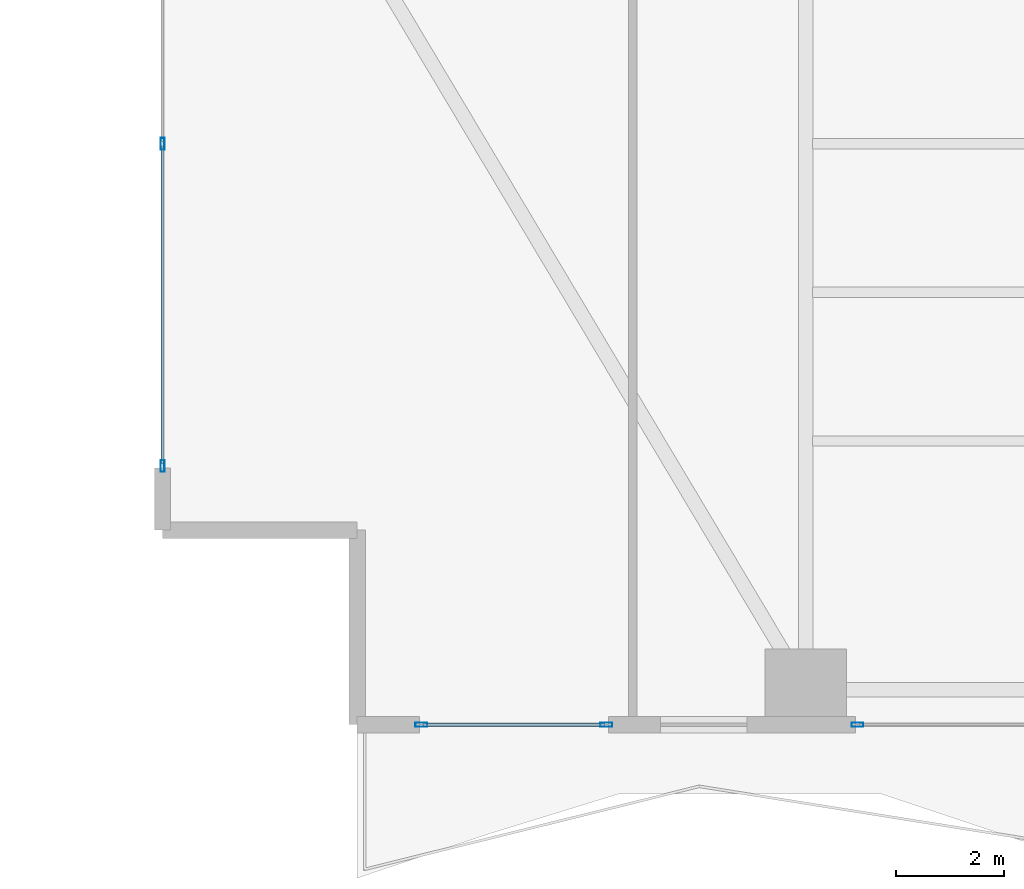
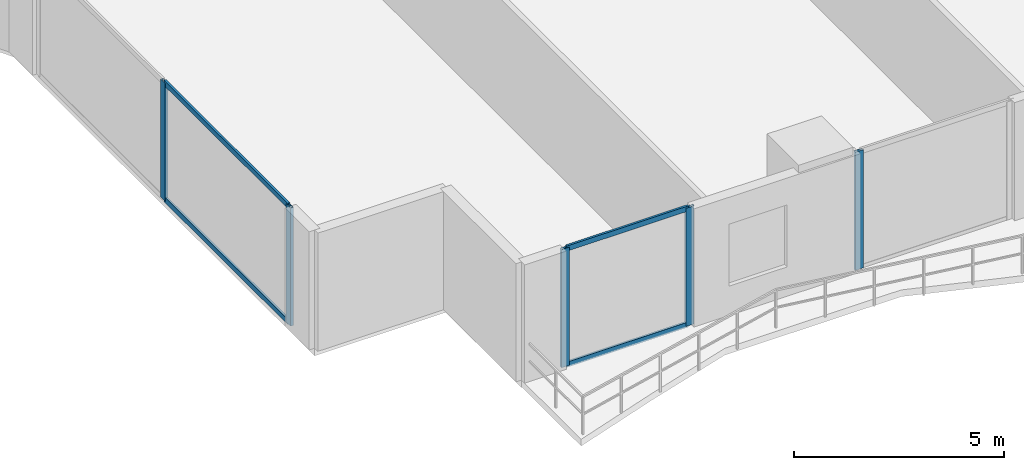
# One storey, part 2 of 29: 9 members, 3 elements without a shape of their own.
"""IFC4 building model written with IfcOpenShell, lengths in metres."""

import ifcopenshell
import ifcopenshell.guid

model = None  # the IFC model being written
_history = None  # IfcOwnerHistory: only IFC2X3 demands one
_inside = {}  # id of a spatial element -> (the spatial element, [elements in it])
_under = {}  # id of a project, library or spatial element -> (it, [spatial elements below it])
_declared = {}  # id of a project -> (the project, [libraries it declares])
_typed = {}  # id of a type object -> (the type object, [elements of that type])
_made_of = {}  # id of a material, layer set ... -> (it, [elements and type objects made of it])


def new_model(schema):
    """Start an empty IFC model of exactly this schema.

    Asked for "IFC4X3", IfcOpenShell would pick the latest addendum, in which some entities
    have other attributes; the version numbers below select the first issue.
    IFC2X3 requires an IfcOwnerHistory on every rooted entity: one is made here for all.
    """
    global model, _history
    if schema == "IFC4X3":
        model = ifcopenshell.file(schema_version=(4, 3, 0, 0))
    else:
        model = ifcopenshell.file(schema=schema)
    _inside.clear()
    _under.clear()
    _declared.clear()
    _typed.clear()
    _made_of.clear()
    _history = None
    if model.schema == "IFC2X3":
        org = make("IfcOrganization", Name="unknown")
        user = make(
            "IfcPersonAndOrganization",
            ThePerson=make("IfcPerson", FamilyName="unknown"),
            TheOrganization=org,
        )
        app = make(
            "IfcApplication",
            ApplicationDeveloper=org,
            Version="unknown",
            ApplicationFullName="unknown",
            ApplicationIdentifier="unknown",
        )
        _history = make(
            "IfcOwnerHistory",
            OwningUser=user,
            OwningApplication=app,
            ChangeAction="ADDED",
            CreationDate=0,
        )
    return model


def make(cls, **values):
    """One entity of the class cls with the attributes given. An attribute that is None is left unset."""
    return model.create_entity(
        cls, **{name: value for name, value in values.items() if value is not None}
    )


def rooted(cls, **values):
    """An entity with a GlobalId (a new one), such as an element, a storey or a relation."""
    return make(cls, GlobalId=ifcopenshell.guid.new(), OwnerHistory=_history, **values)


def si_unit(unit_type, name, prefix=None):
    """IfcSIUnit, for example si_unit("LENGTHUNIT", "METRE", prefix="MILLI")."""
    return make("IfcSIUnit", UnitType=unit_type, Prefix=prefix, Name=name)


def assignment(units):
    """IfcUnitAssignment: the units of a project."""
    return None if units is None else make("IfcUnitAssignment", Units=units)


def point(xyz):
    """IfcCartesianPoint."""
    return None if xyz is None else make("IfcCartesianPoint", Coordinates=xyz)


def direction(xyz):
    """IfcDirection."""
    return None if xyz is None else make("IfcDirection", DirectionRatios=xyz)


def frame(location, z_axis=None, x_axis=None):
    """IfcAxis2Placement3D, a coordinate frame: its origin and axes. An axis left out is left unset."""
    return make(
        "IfcAxis2Placement3D",
        Location=point(location),
        Axis=direction(z_axis),
        RefDirection=direction(x_axis),
    )


def frame_2d(location, x_axis=None):
    """IfcAxis2Placement2D, a coordinate frame in the plane: its origin and x axis."""
    return make(
        "IfcAxis2Placement2D", Location=point(location), RefDirection=direction(x_axis)
    )


def origin():
    """The frame at (0, 0, 0) with its axes left unset."""
    return frame((0.0, 0.0, 0.0))


def origin_2d():
    """The frame at (0, 0) in the plane with its x axis left unset."""
    return frame_2d((0.0, 0.0))


def place(relative_to, where):
    """IfcLocalPlacement: puts the frame where relative to a parent placement (None: the world)."""
    return make(
        "IfcLocalPlacement", PlacementRelTo=relative_to, RelativePlacement=where
    )


def context(
    kind, dimensions, precision=None, world=None, true_north=None, identifier=None
):
    """IfcGeometricRepresentationContext, for example the 3D "Model" context."""
    return make(
        "IfcGeometricRepresentationContext",
        ContextIdentifier=identifier,
        ContextType=kind,
        CoordinateSpaceDimension=dimensions,
        Precision=precision,
        WorldCoordinateSystem=world,
        TrueNorth=true_north,
    )


def subcontext(parent, identifier, kind, view, scale=None):
    """IfcGeometricRepresentationSubContext, for example "Body" below "Model"."""
    return make(
        "IfcGeometricRepresentationSubContext",
        ContextIdentifier=identifier,
        ContextType=kind,
        ParentContext=parent,
        TargetScale=scale,
        TargetView=view,
    )


def project(units=None, contexts=None):
    """IfcProject with its units and contexts."""
    return rooted(
        "IfcProject",
        Name="project",
        RepresentationContexts=contexts,
        UnitsInContext=assignment(units),
    )


def spatial(cls, under=None, at=None, **own):
    """A site, building, storey or space (cls), placed at a placement, below another one or the project."""
    s = rooted(cls, ObjectPlacement=at, **own)
    if under is not None:
        _under.setdefault(under.id(), (under, []))[1].append(s)
    return s


def profile(cls, at=None, kind="AREA", **sizes):
    """A parametric profile (cls). Its sizes go by their IFC names, for example OverallWidth=200.0."""
    return make(cls, ProfileType=kind, Position=at, **sizes)


def hollow_rectangle(**sizes):
    """IfcRectangleHollowProfileDef."""
    return profile("IfcRectangleHollowProfileDef", **sizes)


def extrude(swept, where, along, depth):
    """IfcExtrudedAreaSolid: the profile swept, set in the frame where, extruded along a direction by depth."""
    return make(
        "IfcExtrudedAreaSolid",
        SweptArea=swept,
        Position=where,
        ExtrudedDirection=direction(along),
        Depth=depth,
    )


def shape(context_of_items, identifier, shape_type, items):
    """IfcShapeRepresentation: the items that make up one representation, for example the "Body"."""
    return make(
        "IfcShapeRepresentation",
        ContextOfItems=context_of_items,
        RepresentationIdentifier=identifier,
        RepresentationType=shape_type,
        Items=items,
    )


def material(Name=None, Category=None):
    """IfcMaterial."""
    return make("IfcMaterial", Name=Name, Category=Category)


def layer(
    of_material, thickness, ventilated=None, Name=None, Category=None, Priority=None
):
    """IfcMaterialLayer: one layer of a wall or slab, of a material (None: an air gap)."""
    return make(
        "IfcMaterialLayer",
        Material=of_material,
        LayerThickness=thickness,
        IsVentilated=ventilated,
        Name=Name,
        Category=Category,
        Priority=Priority,
    )


def layer_set(layers, Name=None):
    """IfcMaterialLayerSet."""
    return make("IfcMaterialLayerSet", MaterialLayers=layers, LayerSetName=Name)


def material_profile(
    of_material, cross_section, Name=None, Category=None, Priority=None
):
    """IfcMaterialProfile: a cross section and its material."""
    return make(
        "IfcMaterialProfile",
        Name=Name,
        Material=of_material,
        Profile=cross_section,
        Priority=Priority,
        Category=Category,
    )


def profile_set(profiles, Name=None, composite=None):
    """IfcMaterialProfileSet."""
    return make(
        "IfcMaterialProfileSet",
        Name=Name,
        MaterialProfiles=profiles,
        CompositeProfile=composite,
    )


def made_of(thing, what):
    """Note that an element or type object is made of a material, layer set ...; save() writes the relation."""
    if what is not None:
        _made_of.setdefault(what.id(), (what, []))[1].append(thing)
    return thing


def type_object(cls, material=None, **own):
    """A type object (cls), such as IfcWallType, which elements share."""
    return made_of(rooted(cls, **own), material)


def element(
    cls,
    number,
    at=None,
    inside=None,
    cuts=None,
    type_object=None,
    material=None,
    context=None,
    identifier="Body",
    shape_type=None,
    held_by="IfcProductDefinitionShape",
    body=None,
    shapes=None,
    **own,
):
    """One element of the class cls, such as IfcWall. Its Tag is "e" and its number.

    at: its placement. inside: the storey or other place that contains it. cuts: it is an
    opening in that element (IfcRelVoidsElement). A single representation is given by context,
    identifier, shape_type and body (its items); several are given by shapes. held_by: the class
    of the entity that holds the representations. save() writes the other relations.
    """
    e = rooted(cls, Tag="e%d" % number, ObjectPlacement=at, **own)
    if body is not None:
        shapes = [shape(context, identifier, shape_type, body)]
    if shapes is not None:
        e.Representation = make(held_by, Representations=shapes)
    if inside is not None:
        _inside.setdefault(inside.id(), (inside, []))[1].append(e)
    if cuts is not None:
        rooted(
            "IfcRelVoidsElement", RelatingBuildingElement=cuts, RelatedOpeningElement=e
        )
    if type_object is not None:
        _typed.setdefault(type_object.id(), (type_object, []))[1].append(e)
    return made_of(e, material)


def aggregate(whole, parts):
    """IfcRelAggregates: a whole, such as a stair, and the parts it consists of."""
    return rooted("IfcRelAggregates", RelatingObject=whole, RelatedObjects=parts)


def save(model, path):
    """Write the relations noted so far, then the file.

    IfcRelAggregates (storeys below a building ...), IfcRelContainedInSpatialStructure (elements
    in a storey), IfcRelDefinesByType, IfcRelAssociatesMaterial and IfcRelDeclares: one each for
    every whole, place, type object, material and project.
    """
    for whole, parts in _under.values():
        aggregate(whole, parts)
    for where, things in _inside.values():
        rooted(
            "IfcRelContainedInSpatialStructure",
            RelatedElements=things,
            RelatingStructure=where,
        )
    for kind, things in _typed.values():
        rooted("IfcRelDefinesByType", RelatedObjects=things, RelatingType=kind)
    for what, things in _made_of.values():
        rooted("IfcRelAssociatesMaterial", RelatedObjects=things, RelatingMaterial=what)
    for by, libraries in _declared.values():
        rooted("IfcRelDeclares", RelatingContext=by, RelatedDefinitions=libraries)
    model.write(path)


model = new_model("IFC4")

# Units and contexts
model_context = context("Model", 3, precision=1e-05, world=origin(), true_north=direction((0.0, 1.0)))
body_context = subcontext(model_context, "Body", "Model", "MODEL_VIEW")
ifc_project = project(units=[si_unit("LENGTHUNIT", "METRE"), si_unit("AREAUNIT", "SQUARE_METRE"), si_unit("VOLUMEUNIT", "CUBIC_METRE"), si_unit("PLANEANGLEUNIT", "RADIAN"), si_unit("MASSUNIT", "GRAM", prefix="KILO")], contexts=[model_context])

# Site, building, storey
site_placement = place(None, origin())
site = spatial("IfcSite", under=ifc_project, at=site_placement, CompositionType="ELEMENT")
building_placement = place(site_placement, origin())
building = spatial("IfcBuilding", under=site, at=building_placement, Name="Zuhayl Quay Hotel", CompositionType="ELEMENT")
storey_placement = place(building_placement, frame((0.0, 0.0, 42.199951171875)))
storey = spatial("IfcBuildingStorey", under=building, at=storey_placement, Name="L09", CompositionType="ELEMENT", Elevation=42.199951171875)

# Curtain wall, members
ifc_material_1 = material(Name="Anodised Aluminium 6063-T6", Category="aluminium")
ifc_layer = layer(ifc_material_1, 0.18994140625, Name="Anodised Aluminium 6063-T6", Category="aluminium")
ifc_layer_set = layer_set([ifc_layer], Name="Anodised Aluminium 6063-T6")
curtain_wall_type = type_object("IfcCurtainWallType", Name="CW_SYS_Z1", PredefinedType="USERDEFINED", material=ifc_layer_set)
curtain_wall_1_placement = place(storey_placement, origin())
curtain_wall_1 = element("IfcCurtainWall", 1, at=curtain_wall_1_placement, inside=storey, type_object=curtain_wall_type, Name="L09 Curtain Wall ENV_L09_E02_CW1", ObjectType="UNITISED CURTAIN WALL", PredefinedType="USERDEFINED")
ifc_material_2 = material(Name="Black-anodised aluminium 6063-T6", Category="aluminium")
ifc_material_profile_1 = material_profile(ifc_material_2, hollow_rectangle(XDim=0.074951171875, YDim=0.219970703125, WallThickness=0.00390625, at=origin_2d()), Name="ALU220X75")
ifc_profile_set_1 = profile_set([ifc_material_profile_1], Name="Black-anodised aluminium 6063-T6")
member_type_1 = type_object("IfcMemberType", Name="MB_CW_MUL_220", PredefinedType="MULLION", material=ifc_profile_set_1)
member_1_placement = place(storey_placement, frame((-25.699951171875, -18.3125, 0.0), z_axis=(0.0, 0.0, 1.0), x_axis=(-1.0, 0.0, 0.0)))
member_1 = element("IfcMember", 2, at=member_1_placement, type_object=member_type_1, Name="CW-Z1 mullion 1", PredefinedType="MULLION", context=body_context, shape_type="SweptSolid", body=[
    extrude(hollow_rectangle(XDim=0.074951171875, YDim=0.219970703125, WallThickness=0.00390625, at=origin_2d()), origin(), (0.0, 0.0, 1.0), 3.429931640625),
])
member_2_placement = place(storey_placement, frame((-25.699951171875, -12.35009765625, 0.0), z_axis=(0.0, 0.0, 1.0), x_axis=(-1.0, 0.0, 0.0)))
member_2 = element("IfcMember", 3, at=member_2_placement, type_object=member_type_1, Name="CW-Z1 mullion 2", PredefinedType="MULLION", context=body_context, shape_type="SweptSolid", body=[
    extrude(hollow_rectangle(XDim=0.074951171875, YDim=0.219970703125, WallThickness=0.00390625, at=origin_2d()), origin(), (0.0, 0.0, 1.0), 3.429931640625),
])

# Curtain wall, member
curtain_wall_2_placement = place(storey_placement, origin())
curtain_wall_2 = element("IfcCurtainWall", 4, at=curtain_wall_2_placement, inside=storey, type_object=curtain_wall_type, Name="L09 Curtain Wall ENV_L09_S_CW4", ObjectType="UNITISED CURTAIN WALL", PredefinedType="USERDEFINED")
member_3_placement = place(storey_placement, frame((-12.842529296875, -23.10009765625, 0.0), z_axis=(0.0, 0.0, 1.0), x_axis=(0.0, -1.0, 0.0)))
member_3 = element("IfcMember", 5, at=member_3_placement, type_object=member_type_1, Name="CW-Z1 mullion 2", PredefinedType="MULLION", context=body_context, shape_type="SweptSolid", body=[
    extrude(hollow_rectangle(XDim=0.074951171875, YDim=0.219970703125, WallThickness=0.00390625, at=origin_2d()), origin(), (0.0, 0.0, 1.0), 3.429931640625),
])
aggregate(curtain_wall_2, [member_3])

# Curtain wall, members
curtain_wall_3_placement = place(storey_placement, origin())
curtain_wall_3 = element("IfcCurtainWall", 6, at=curtain_wall_3_placement, inside=storey, type_object=curtain_wall_type, Name="L09 Curtain Wall ENV_L09_S_CW5", ObjectType="UNITISED CURTAIN WALL", PredefinedType="USERDEFINED")
member_4_placement = place(storey_placement, frame((-17.487548828125, -23.10009765625, 0.0), z_axis=(0.0, 0.0, 1.0), x_axis=(0.0, -1.0, 0.0)))
member_4 = element("IfcMember", 7, at=member_4_placement, type_object=member_type_1, Name="CW-Z1 mullion 1", PredefinedType="MULLION", context=body_context, shape_type="SweptSolid", body=[
    extrude(hollow_rectangle(XDim=0.074951171875, YDim=0.219970703125, WallThickness=0.00390625, at=origin_2d()), origin(), (0.0, 0.0, 1.0), 3.429931640625),
])
member_5_placement = place(storey_placement, frame((-20.91259765625, -23.10009765625, 0.0), z_axis=(0.0, 0.0, 1.0), x_axis=(0.0, -1.0, 0.0)))
member_5 = element("IfcMember", 8, at=member_5_placement, type_object=member_type_1, Name="CW-Z1 mullion 2", PredefinedType="MULLION", context=body_context, shape_type="SweptSolid", body=[
    extrude(hollow_rectangle(XDim=0.074951171875, YDim=0.219970703125, WallThickness=0.00390625, at=origin_2d()), origin(), (0.0, 0.0, 1.0), 3.429931640625),
])

# Member
ifc_material_profile_2 = material_profile(ifc_material_2, hollow_rectangle(XDim=0.06005859375, YDim=0.14990234375, WallThickness=0.00341796875, at=origin_2d()), Name="ALU150X60")
ifc_profile_set_2 = profile_set([ifc_material_profile_2], Name="Black-anodised aluminium 6063-T6")
member_type_2 = type_object("IfcMemberType", Name="MB_CW_TRN_150", PredefinedType="USERDEFINED", material=ifc_profile_set_2)
member_6_placement = place(storey_placement, frame((-25.699951171875, -18.27490234375, 0.030029296875), z_axis=(0.0, 1.0, 0.0), x_axis=(-1.0, 0.0, 0.0)))
member_6 = element("IfcMember", 9, at=member_6_placement, type_object=member_type_2, Name="CW-Z1 transom 1.1", ObjectType="TRANSOM", PredefinedType="USERDEFINED", context=body_context, shape_type="SweptSolid", body=[
    extrude(hollow_rectangle(XDim=0.06005859375, YDim=0.14990234375, WallThickness=0.00341796875, at=origin_2d()), origin(), (0.0, 0.0, 1.0), 5.887451171875),
])

member_7_placement = place(storey_placement, frame((-25.699951171875, -18.27490234375, 3.400146484375), z_axis=(0.0, 1.0, 0.0), x_axis=(-1.0, 0.0, 0.0)))
member_7 = element("IfcMember", 10, at=member_7_placement, type_object=member_type_2, Name="CW-Z1 transom 1.2", ObjectType="TRANSOM", PredefinedType="USERDEFINED", context=body_context, shape_type="SweptSolid", body=[
    extrude(hollow_rectangle(XDim=0.06005859375, YDim=0.14990234375, WallThickness=0.00341796875, at=origin_2d()), origin(), (0.0, 0.0, 1.0), 5.887451171875),
])

aggregate(curtain_wall_1, [member_1, member_2, member_6, member_7])

member_8_placement = place(storey_placement, frame((-17.52490234375, -23.10009765625, 0.030029296875), z_axis=(-1.0, 0.0, 0.0), x_axis=(0.0, -1.0, 0.0)))
member_8 = element("IfcMember", 11, at=member_8_placement, type_object=member_type_2, Name="CW-Z1 transom 1.1", ObjectType="TRANSOM", PredefinedType="USERDEFINED", context=body_context, shape_type="SweptSolid", body=[
    extrude(hollow_rectangle(XDim=0.06005859375, YDim=0.14990234375, WallThickness=0.00341796875, at=origin_2d()), origin(), (0.0, 0.0, 1.0), 3.35009765625),
])

member_9_placement = place(storey_placement, frame((-17.52490234375, -23.10009765625, 3.400146484375), z_axis=(-1.0, 0.0, 0.0), x_axis=(0.0, -1.0, 0.0)))
member_9 = element("IfcMember", 12, at=member_9_placement, type_object=member_type_2, Name="CW-Z1 transom 1.2", ObjectType="TRANSOM", PredefinedType="USERDEFINED", context=body_context, shape_type="SweptSolid", body=[
    extrude(hollow_rectangle(XDim=0.06005859375, YDim=0.14990234375, WallThickness=0.00341796875, at=origin_2d()), origin(), (0.0, 0.0, 1.0), 3.35009765625),
])

aggregate(curtain_wall_3, [member_4, member_5, member_8, member_9])

save(model, "model.ifc")
